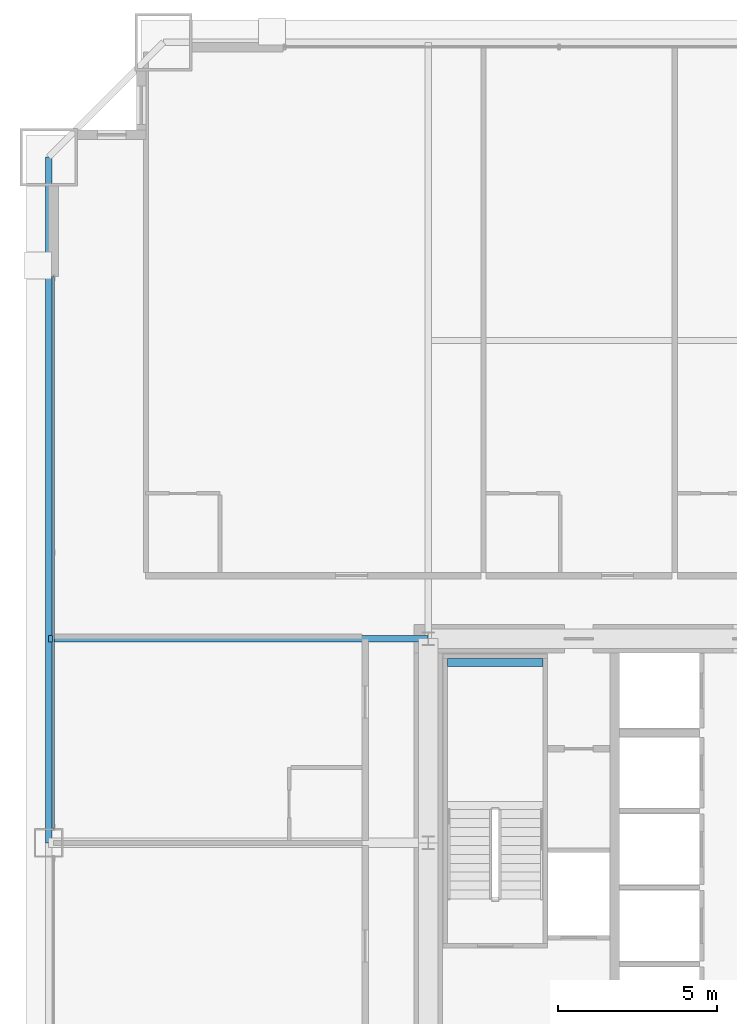
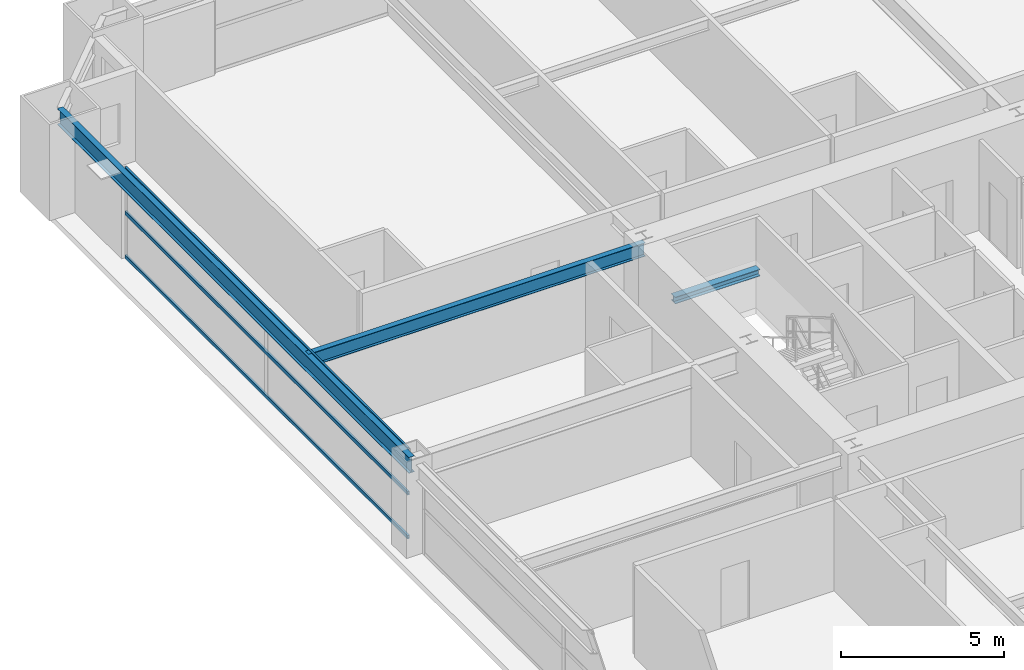
# One storey, part 23 of 43: 3 beams, 3 members, 1 element without a shape of its own.
"""IFC4 building model written with IfcOpenShell, lengths in metres."""

from ifc_helpers import new_model, si_unit, direction, frame, origin, origin_2d, place, context, subcontext, project, spatial, hollow_rectangle, i_section, extrude, source, transform, mapped, material, layer, layer_set, material_profile, profile_set, type_object, element, aggregate, save


model = new_model("IFC4")

# Units and contexts
model_context = context("Model", 3, precision=1e-05, world=origin(), true_north=direction((0.0, 1.0)))
body_context = subcontext(model_context, "Body", "Model", "MODEL_VIEW")
ifc_project = project(units=[si_unit("LENGTHUNIT", "METRE"), si_unit("AREAUNIT", "SQUARE_METRE"), si_unit("VOLUMEUNIT", "CUBIC_METRE"), si_unit("PLANEANGLEUNIT", "RADIAN"), si_unit("MASSUNIT", "GRAM", prefix="KILO"), si_unit("THERMODYNAMICTEMPERATUREUNIT", "KELVIN"), si_unit("POWERUNIT", "WATT")], contexts=[model_context])

# Site, building, storey
site_placement = place(None, origin())
site = spatial("IfcSite", under=ifc_project, at=site_placement, CompositionType="ELEMENT")
building_placement = place(site_placement, origin())
building = spatial("IfcBuilding", under=site, at=building_placement, Name="Yuzanri Waterfront Tower", CompositionType="ELEMENT")
storey_placement = place(building_placement, frame((0.0, 0.0, 78.39990234375)))
storey = spatial("IfcBuildingStorey", under=building, at=storey_placement, Name="L20", CompositionType="ELEMENT", Elevation=78.39990234375)

# Beams
ifc_material_1 = material(Name="Steel Q355B", Category="steel")
ifc_material_profile_1 = material_profile(ifc_material_1, i_section(OverallWidth=0.199951171875, OverallDepth=0.60009765625, WebThickness=0.010986328125, FlangeThickness=0.01708984375, at=origin_2d()), Name="HN 600x200x11x17")
ifc_profile_set_1 = profile_set([ifc_material_profile_1], Name="Steel Q355B")
beam_type_1 = type_object("IfcBeamType", Name="Perimeter Spandrel Q355B HN 600x200", PredefinedType="SPANDREL", material=ifc_profile_set_1)
shared_shape_1 = source(origin(), body_context, "Body", "SweptSolid", [
    extrude(i_section(OverallWidth=0.199951171875, OverallDepth=0.60009765625, WebThickness=0.010986328125, FlangeThickness=0.01708984375, at=origin_2d()), origin(), (0.0, 0.0, 1.0), 21.5),
])
beam_1_placement = place(storey_placement, frame((11.89990234375, 47.300048828125, 3.080078125), z_axis=(0.0, -1.0, 0.0), x_axis=(1.0, 0.0, 0.0)))
element("IfcBeam", 1, at=beam_1_placement, inside=storey, type_object=beam_type_1, Name="L20 Perimeter Spandrel W3-W2", PredefinedType="SPANDREL", context=body_context, shape_type="MappedRepresentation", body=[
    mapped(shared_shape_1, transform((0.0, 0.0, 0.0), scale=1.0)),
])
ifc_material_2 = material(Name="Steel Q355B", Category="steel")
ifc_material_profile_2 = material_profile(ifc_material_2, i_section(OverallWidth=0.199951171875, OverallDepth=0.5, WebThickness=0.010009765625, FlangeThickness=0.01611328125, at=origin_2d()), Name="HN 500x200x10x16")
ifc_profile_set_2 = profile_set([ifc_material_profile_2], Name="Steel Q355B")
beam_type_2 = type_object("IfcBeamType", Name="Secondary Floor Beam Q355B HN 500x200", PredefinedType="BEAM", material=ifc_profile_set_2)
shared_shape_2 = source(origin(), body_context, "Body", "SweptSolid", [
    extrude(i_section(OverallWidth=0.199951171875, OverallDepth=0.5, WebThickness=0.010009765625, FlangeThickness=0.01611328125, at=origin_2d()), origin(), (0.0, 0.0, 1.0), 11.900146484375),
])
beam_2_placement = place(storey_placement, frame((23.800048828125, 32.199951171875, 3.130126953125), z_axis=(-1.0, 0.0, 0.0), x_axis=(0.0, -1.0, 0.0)))
element("IfcBeam", 2, at=beam_2_placement, inside=storey, type_object=beam_type_2, Name="L20 West-North Core Line Beam", PredefinedType="BEAM", context=body_context, shape_type="MappedRepresentation", body=[
    mapped(shared_shape_2, transform((0.0, 0.0, 0.0), scale=1.0)),
])

# Curtain wall, members
ifc_material_3 = material(Name="Anodized Architectural Bronze", Category="metal")
ifc_layer = layer(ifc_material_3, 0.159912109375)
ifc_layer_set = layer_set([ifc_layer], Name="Anodized Architectural Bronze")
curtain_wall_type = type_object("IfcCurtainWallType", Name="Anodized Bronze Hotel Lower-Tier Recessed Unitized Curtain Wall 8100", PredefinedType="NOTDEFINED", material=ifc_layer_set)
curtain_wall_placement = place(storey_placement, origin())
curtain_wall = element("IfcCurtainWall", 3, at=curtain_wall_placement, inside=storey, type_object=curtain_wall_type, Name="L20 Curtain Wall CW-L20-WR", PredefinedType="NOTDEFINED")
ifc_material_4 = material(Name="Anodized Architectural Bronze", Category="metal")
ifc_material_profile_3 = material_profile(ifc_material_4, hollow_rectangle(XDim=0.070068359375, YDim=0.135009765625, WallThickness=0.00341796875, at=origin_2d()), Name="CWT 70x135")
ifc_profile_set_3 = profile_set([ifc_material_profile_3], Name="Anodized Architectural Bronze")
member_type = type_object("IfcMemberType", Name="Anodized Bronze Standard Curtain-Wall Transom 70x135", PredefinedType="USERDEFINED", material=ifc_profile_set_3)
shared_shape_3 = source(origin(), body_context, "Body", "SweptSolid", [
    extrude(hollow_rectangle(XDim=0.070068359375, YDim=0.135009765625, WallThickness=0.00341796875, at=origin_2d()), origin(), (0.0, 0.0, 1.0), 17.300048828125),
])
member_1_placement = place(storey_placement, frame((12.050048828125, 26.25, 0.050048828125), z_axis=(0.0, 1.0, 0.0), x_axis=(-1.0, 0.0, 0.0)))
member_1 = element("IfcMember", 4, at=member_1_placement, type_object=member_type, Name="CW-L20-WR Transom 1", ObjectType="TRANSOM", PredefinedType="USERDEFINED", context=body_context, shape_type="MappedRepresentation", body=[
    mapped(shared_shape_3, transform((0.0, 0.0, 0.0), scale=1.0)),
])
member_2_placement = place(storey_placement, frame((12.050048828125, 26.25, 1.690185546875), z_axis=(0.0, 1.0, 0.0), x_axis=(-1.0, 0.0, 0.0)))
member_2 = element("IfcMember", 5, at=member_2_placement, type_object=member_type, Name="CW-L20-WR Transom 2", ObjectType="TRANSOM", PredefinedType="USERDEFINED", context=body_context, shape_type="MappedRepresentation", body=[
    mapped(shared_shape_3, transform((0.0, 0.0, 0.0), scale=1.0)),
])
member_3_placement = place(storey_placement, frame((12.050048828125, 26.25, 3.330078125), z_axis=(0.0, 1.0, 0.0), x_axis=(-1.0, 0.0, 0.0)))
member_3 = element("IfcMember", 6, at=member_3_placement, type_object=member_type, Name="CW-L20-WR Transom 3", ObjectType="TRANSOM", PredefinedType="USERDEFINED", context=body_context, shape_type="MappedRepresentation", body=[
    mapped(shared_shape_3, transform((0.0, 0.0, 0.0), scale=1.0)),
])
aggregate(curtain_wall, [member_1, member_2, member_3])

# Beam
ifc_material_5 = material(Name="Steel Q355B", Category="steel")
ifc_material_profile_4 = material_profile(ifc_material_5, i_section(OverallWidth=0.25, OverallDepth=0.25, WebThickness=0.009033203125, FlangeThickness=0.013916015625, at=origin_2d()), Name="HW 250x250x9x14")
ifc_profile_set_4 = profile_set([ifc_material_profile_4], Name="Steel Q355B")
beam_type_3 = type_object("IfcBeamType", Name="Stair Landing Support Beam Q355B HW 250x250", PredefinedType="BEAM", material=ifc_profile_set_4)
shared_shape_4 = source(origin(), body_context, "Body", "SweptSolid", [
    extrude(i_section(OverallWidth=0.25, OverallDepth=0.25, WebThickness=0.009033203125, FlangeThickness=0.013916015625, at=origin_2d()), origin(), (0.0, 0.0, 1.0), 3.0),
])
beam_3_placement = place(storey_placement, frame((24.39990234375, 31.449951171875, 1.47509765625), z_axis=(1.0, 0.0, 0.0), x_axis=(0.0, 1.0, 0.0)))
element("IfcBeam", 7, at=beam_3_placement, inside=storey, type_object=beam_type_3, Name="L20 Stair Landing Support Beam ST-01-L20-L1-2", PredefinedType="BEAM", context=body_context, shape_type="MappedRepresentation", body=[
    mapped(shared_shape_4, transform((0.0, 0.0, 0.0), scale=1.0)),
])

save(model, "model.ifc")
